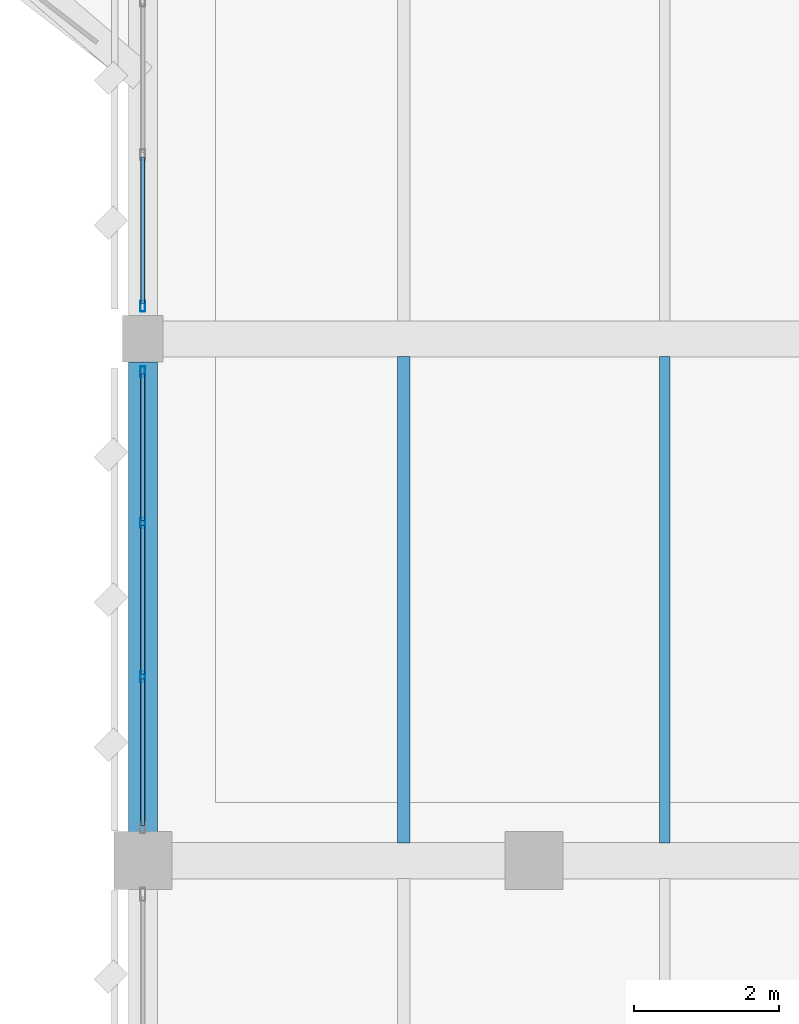
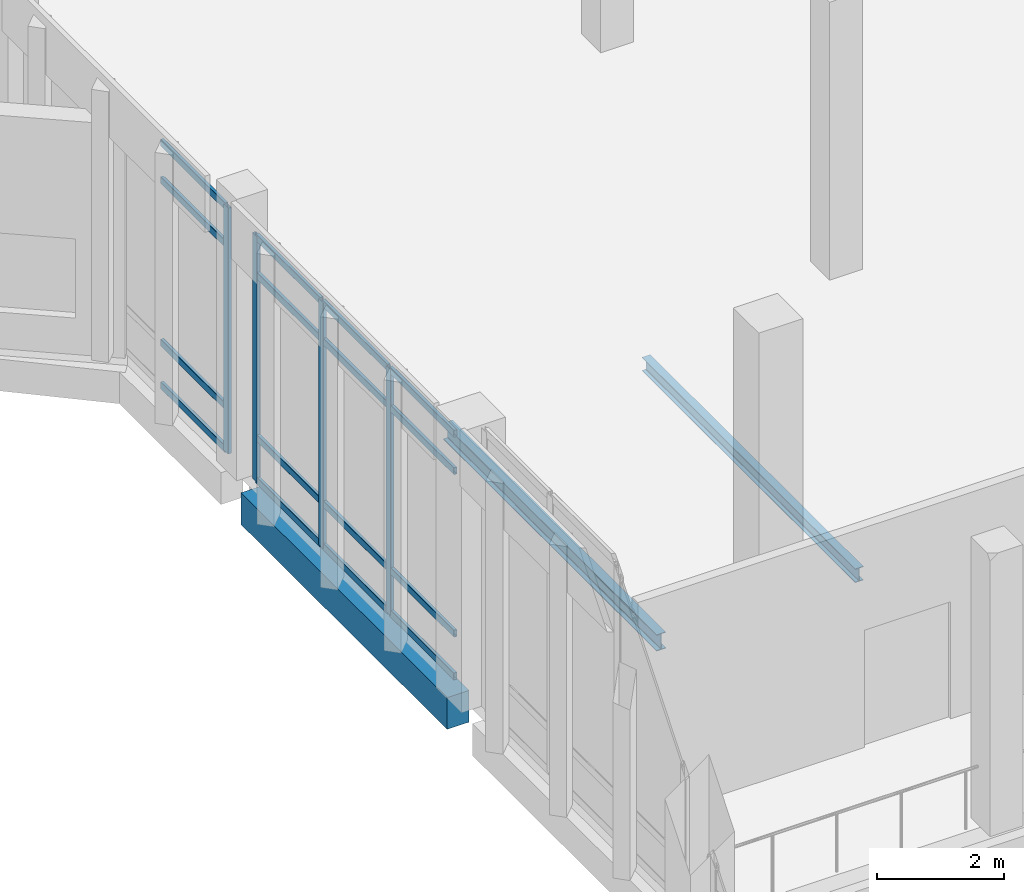
# One storey, part 21 of 180: 20 members, 3 beams, 2 elements without a shape of their own.
"""IFC4 building model written with IfcOpenShell, lengths in metres."""

from ifc_helpers import new_model, si_unit, direction, frame, origin, origin_2d, place, context, subcontext, project, spatial, rectangle, hollow_rectangle, i_section, extrude, material, material_profile, profile_set, type_object, element, aggregate, save


model = new_model("IFC4")

# Units and contexts
model_context = context("Model", 3, precision=1e-05, world=origin(), true_north=direction((0.0, 1.0)))
body_context = subcontext(model_context, "Body", "Model", "MODEL_VIEW")
ifc_project = project(units=[si_unit("LENGTHUNIT", "METRE"), si_unit("AREAUNIT", "SQUARE_METRE"), si_unit("VOLUMEUNIT", "CUBIC_METRE"), si_unit("PLANEANGLEUNIT", "RADIAN"), si_unit("MASSUNIT", "GRAM", prefix="KILO")], contexts=[model_context])

# Site, building, storey
site_placement = place(None, origin())
site = spatial("IfcSite", under=ifc_project, at=site_placement, CompositionType="ELEMENT")
building_placement = place(site_placement, origin())
building = spatial("IfcBuilding", under=site, at=building_placement, Name="Lusvemor Sports Hall", CompositionType="ELEMENT")
storey_placement = place(building_placement, frame((0.0, 0.0, 5.39990234375)))
storey = spatial("IfcBuildingStorey", under=building, at=storey_placement, Name="L01", CompositionType="ELEMENT", Elevation=5.39990234375)

# Curtain wall, members
ifc_material_1 = material(Name="Thermally broken bronze-anodized aluminium", Category="aluminium")
curtain_wall_type = type_object("IfcCurtainWallType", Name="CW_WING_B", PredefinedType="NOTDEFINED", material=ifc_material_1)
curtain_wall_1_placement = place(storey_placement, origin())
curtain_wall_1 = element("IfcCurtainWall", 1, at=curtain_wall_1_placement, inside=storey, type_object=curtain_wall_type, Name="Curtain Wall CW-L01-W-0-0", PredefinedType="NOTDEFINED")
ifc_material_2 = material(Name="Thermally broken bronze-anodized aluminium", Category="aluminium")
ifc_material_profile_1 = material_profile(ifc_material_2, hollow_rectangle(XDim=0.06494140625, YDim=0.14990234375, WallThickness=0.00390625, InnerFilletRadius=0.00390625, OuterFilletRadius=0.008056640625, at=origin_2d()), Name="CWMUL150x65x4")
ifc_profile_set_1 = profile_set([ifc_material_profile_1], Name="Thermally broken bronze-anodized aluminium")
member_type_1 = type_object("IfcMemberType", Name="CW_MUL_B", PredefinedType="MULLION", material=ifc_profile_set_1)
member_1_placement = place(storey_placement, frame((0.0, 49.340087890625, 0.0), z_axis=(0.0, 0.0, 1.0), x_axis=(-1.0, 0.0, 0.0)))
member_1 = element("IfcMember", 2, at=member_1_placement, type_object=member_type_1, Name="CW02 mullion 2", PredefinedType="MULLION", context=body_context, shape_type="SweptSolid", body=[
    extrude(hollow_rectangle(XDim=0.06494140625, YDim=0.14990234375, WallThickness=0.00390625, InnerFilletRadius=0.00390625, OuterFilletRadius=0.008056640625, at=origin_2d()), origin(), (0.0, 0.0, 1.0), 4.72021484375),
])
member_2_placement = place(storey_placement, frame((0.0, 51.4599609375, 0.0), z_axis=(0.0, 0.0, 1.0), x_axis=(-1.0, 0.0, 0.0)))
member_2 = element("IfcMember", 3, at=member_2_placement, type_object=member_type_1, Name="CW02 mullion 3", PredefinedType="MULLION", context=body_context, shape_type="SweptSolid", body=[
    extrude(hollow_rectangle(XDim=0.06494140625, YDim=0.14990234375, WallThickness=0.00390625, InnerFilletRadius=0.00390625, OuterFilletRadius=0.008056640625, at=origin_2d()), origin(), (0.0, 0.0, 1.0), 4.72021484375),
])
member_3_placement = place(storey_placement, frame((0.0, 53.547607421875, 0.0), z_axis=(0.0, 0.0, 1.0), x_axis=(-1.0, 0.0, 0.0)))
member_3 = element("IfcMember", 4, at=member_3_placement, type_object=member_type_1, Name="CW02 mullion 4", PredefinedType="MULLION", context=body_context, shape_type="SweptSolid", body=[
    extrude(hollow_rectangle(XDim=0.06494140625, YDim=0.14990234375, WallThickness=0.00390625, InnerFilletRadius=0.00390625, OuterFilletRadius=0.008056640625, at=origin_2d()), origin(), (0.0, 0.0, 1.0), 4.72021484375),
])

# Curtain wall, member
curtain_wall_2_placement = place(storey_placement, origin())
curtain_wall_2 = element("IfcCurtainWall", 5, at=curtain_wall_2_placement, inside=storey, type_object=curtain_wall_type, Name="Curtain Wall CW-L01-W-0-1", PredefinedType="NOTDEFINED")
member_4_placement = place(storey_placement, frame((0.0, 54.452392578125, 0.0), z_axis=(0.0, 0.0, 1.0), x_axis=(-1.0, 0.0, 0.0)))
member_4 = element("IfcMember", 6, at=member_4_placement, type_object=member_type_1, Name="CW02 mullion 1", PredefinedType="MULLION", context=body_context, shape_type="SweptSolid", body=[
    extrude(hollow_rectangle(XDim=0.06494140625, YDim=0.14990234375, WallThickness=0.00390625, InnerFilletRadius=0.00390625, OuterFilletRadius=0.008056640625, at=origin_2d()), origin(), (0.0, 0.0, 1.0), 4.72021484375),
])

# Member
ifc_material_3 = material(Name="Thermally broken bronze-anodized aluminium", Category="aluminium")
ifc_material_profile_2 = material_profile(ifc_material_3, hollow_rectangle(XDim=0.06005859375, YDim=0.135009765625, WallThickness=0.00390625, InnerFilletRadius=0.00390625, OuterFilletRadius=0.008056640625, at=origin_2d()), Name="CWTRN135x60x4")
ifc_profile_set_2 = profile_set([ifc_material_profile_2], Name="Thermally broken bronze-anodized aluminium")
member_type_2 = type_object("IfcMemberType", Name="CW_TRN_B", PredefinedType="USERDEFINED", material=ifc_profile_set_2)
member_5_placement = place(storey_placement, frame((0.0, 47.284912109375, 0.030029296875), z_axis=(0.0, 1.0, 0.0), x_axis=(-1.0, 0.0, 0.0)))
member_5 = element("IfcMember", 7, at=member_5_placement, type_object=member_type_2, Name="CW02 transom 1.1", ObjectType="TRANSOM", PredefinedType="USERDEFINED", context=body_context, shape_type="SweptSolid", body=[
    extrude(hollow_rectangle(XDim=0.06005859375, YDim=0.135009765625, WallThickness=0.00390625, InnerFilletRadius=0.00390625, OuterFilletRadius=0.008056640625, at=origin_2d()), origin(), (0.0, 0.0, 1.0), 2.022705078125),
])

member_6_placement = place(storey_placement, frame((0.0, 47.284912109375, 0.85009765625), z_axis=(0.0, 1.0, 0.0), x_axis=(-1.0, 0.0, 0.0)))
member_6 = element("IfcMember", 8, at=member_6_placement, type_object=member_type_2, Name="CW02 transom 1.2", ObjectType="TRANSOM", PredefinedType="USERDEFINED", context=body_context, shape_type="SweptSolid", body=[
    extrude(hollow_rectangle(XDim=0.06005859375, YDim=0.135009765625, WallThickness=0.00390625, InnerFilletRadius=0.00390625, OuterFilletRadius=0.008056640625, at=origin_2d()), origin(), (0.0, 0.0, 1.0), 2.022705078125),
])

member_7_placement = place(storey_placement, frame((0.0, 47.284912109375, 3.97021484375), z_axis=(0.0, 1.0, 0.0), x_axis=(-1.0, 0.0, 0.0)))
member_7 = element("IfcMember", 9, at=member_7_placement, type_object=member_type_2, Name="CW02 transom 1.3", ObjectType="TRANSOM", PredefinedType="USERDEFINED", context=body_context, shape_type="SweptSolid", body=[
    extrude(hollow_rectangle(XDim=0.06005859375, YDim=0.135009765625, WallThickness=0.00390625, InnerFilletRadius=0.00390625, OuterFilletRadius=0.008056640625, at=origin_2d()), origin(), (0.0, 0.0, 1.0), 2.022705078125),
])

member_8_placement = place(storey_placement, frame((0.0, 47.284912109375, 4.690185546875), z_axis=(0.0, 1.0, 0.0), x_axis=(-1.0, 0.0, 0.0)))
member_8 = element("IfcMember", 10, at=member_8_placement, type_object=member_type_2, Name="CW02 transom 1.4", ObjectType="TRANSOM", PredefinedType="USERDEFINED", context=body_context, shape_type="SweptSolid", body=[
    extrude(hollow_rectangle(XDim=0.06005859375, YDim=0.135009765625, WallThickness=0.00390625, InnerFilletRadius=0.00390625, OuterFilletRadius=0.008056640625, at=origin_2d()), origin(), (0.0, 0.0, 1.0), 2.022705078125),
])

member_9_placement = place(storey_placement, frame((0.0, 49.37255859375, 0.030029296875), z_axis=(0.0, 1.0, 0.0), x_axis=(-1.0, 0.0, 0.0)))
member_9 = element("IfcMember", 11, at=member_9_placement, type_object=member_type_2, Name="CW02 transom 2.1", ObjectType="TRANSOM", PredefinedType="USERDEFINED", context=body_context, shape_type="SweptSolid", body=[
    extrude(hollow_rectangle(XDim=0.06005859375, YDim=0.135009765625, WallThickness=0.00390625, InnerFilletRadius=0.00390625, OuterFilletRadius=0.008056640625, at=origin_2d()), origin(), (0.0, 0.0, 1.0), 2.054931640625),
])

member_10_placement = place(storey_placement, frame((0.0, 49.37255859375, 0.85009765625), z_axis=(0.0, 1.0, 0.0), x_axis=(-1.0, 0.0, 0.0)))
member_10 = element("IfcMember", 12, at=member_10_placement, type_object=member_type_2, Name="CW02 transom 2.2", ObjectType="TRANSOM", PredefinedType="USERDEFINED", context=body_context, shape_type="SweptSolid", body=[
    extrude(hollow_rectangle(XDim=0.06005859375, YDim=0.135009765625, WallThickness=0.00390625, InnerFilletRadius=0.00390625, OuterFilletRadius=0.008056640625, at=origin_2d()), origin(), (0.0, 0.0, 1.0), 2.054931640625),
])

member_11_placement = place(storey_placement, frame((0.0, 49.37255859375, 3.97021484375), z_axis=(0.0, 1.0, 0.0), x_axis=(-1.0, 0.0, 0.0)))
member_11 = element("IfcMember", 13, at=member_11_placement, type_object=member_type_2, Name="CW02 transom 2.3", ObjectType="TRANSOM", PredefinedType="USERDEFINED", context=body_context, shape_type="SweptSolid", body=[
    extrude(hollow_rectangle(XDim=0.06005859375, YDim=0.135009765625, WallThickness=0.00390625, InnerFilletRadius=0.00390625, OuterFilletRadius=0.008056640625, at=origin_2d()), origin(), (0.0, 0.0, 1.0), 2.054931640625),
])

member_12_placement = place(storey_placement, frame((0.0, 49.37255859375, 4.690185546875), z_axis=(0.0, 1.0, 0.0), x_axis=(-1.0, 0.0, 0.0)))
member_12 = element("IfcMember", 14, at=member_12_placement, type_object=member_type_2, Name="CW02 transom 2.4", ObjectType="TRANSOM", PredefinedType="USERDEFINED", context=body_context, shape_type="SweptSolid", body=[
    extrude(hollow_rectangle(XDim=0.06005859375, YDim=0.135009765625, WallThickness=0.00390625, InnerFilletRadius=0.00390625, OuterFilletRadius=0.008056640625, at=origin_2d()), origin(), (0.0, 0.0, 1.0), 2.054931640625),
])

member_13_placement = place(storey_placement, frame((0.0, 51.492431640625, 0.030029296875), z_axis=(0.0, 1.0, 0.0), x_axis=(-1.0, 0.0, 0.0)))
member_13 = element("IfcMember", 15, at=member_13_placement, type_object=member_type_2, Name="CW02 transom 3.1", ObjectType="TRANSOM", PredefinedType="USERDEFINED", context=body_context, shape_type="SweptSolid", body=[
    extrude(hollow_rectangle(XDim=0.06005859375, YDim=0.135009765625, WallThickness=0.00390625, InnerFilletRadius=0.00390625, OuterFilletRadius=0.008056640625, at=origin_2d()), origin(), (0.0, 0.0, 1.0), 2.0224609375),
])

member_14_placement = place(storey_placement, frame((0.0, 51.492431640625, 0.85009765625), z_axis=(0.0, 1.0, 0.0), x_axis=(-1.0, 0.0, 0.0)))
member_14 = element("IfcMember", 16, at=member_14_placement, type_object=member_type_2, Name="CW02 transom 3.2", ObjectType="TRANSOM", PredefinedType="USERDEFINED", context=body_context, shape_type="SweptSolid", body=[
    extrude(hollow_rectangle(XDim=0.06005859375, YDim=0.135009765625, WallThickness=0.00390625, InnerFilletRadius=0.00390625, OuterFilletRadius=0.008056640625, at=origin_2d()), origin(), (0.0, 0.0, 1.0), 2.0224609375),
])

member_15_placement = place(storey_placement, frame((0.0, 51.492431640625, 3.97021484375), z_axis=(0.0, 1.0, 0.0), x_axis=(-1.0, 0.0, 0.0)))
member_15 = element("IfcMember", 17, at=member_15_placement, type_object=member_type_2, Name="CW02 transom 3.3", ObjectType="TRANSOM", PredefinedType="USERDEFINED", context=body_context, shape_type="SweptSolid", body=[
    extrude(hollow_rectangle(XDim=0.06005859375, YDim=0.135009765625, WallThickness=0.00390625, InnerFilletRadius=0.00390625, OuterFilletRadius=0.008056640625, at=origin_2d()), origin(), (0.0, 0.0, 1.0), 2.0224609375),
])

member_16_placement = place(storey_placement, frame((0.0, 51.492431640625, 4.690185546875), z_axis=(0.0, 1.0, 0.0), x_axis=(-1.0, 0.0, 0.0)))
member_16 = element("IfcMember", 18, at=member_16_placement, type_object=member_type_2, Name="CW02 transom 3.4", ObjectType="TRANSOM", PredefinedType="USERDEFINED", context=body_context, shape_type="SweptSolid", body=[
    extrude(hollow_rectangle(XDim=0.06005859375, YDim=0.135009765625, WallThickness=0.00390625, InnerFilletRadius=0.00390625, OuterFilletRadius=0.008056640625, at=origin_2d()), origin(), (0.0, 0.0, 1.0), 2.0224609375),
])

aggregate(curtain_wall_1, [member_1, member_2, member_3, member_5, member_6, member_7, member_8, member_9, member_10, member_11, member_12, member_13, member_14, member_15, member_16])

member_17_placement = place(storey_placement, frame((0.0, 54.485107421875, 0.030029296875), z_axis=(0.0, 1.0, 0.0), x_axis=(-1.0, 0.0, 0.0)))
member_17 = element("IfcMember", 19, at=member_17_placement, type_object=member_type_2, Name="CW02 transom 1.1", ObjectType="TRANSOM", PredefinedType="USERDEFINED", context=body_context, shape_type="SweptSolid", body=[
    extrude(hollow_rectangle(XDim=0.06005859375, YDim=0.135009765625, WallThickness=0.00390625, InnerFilletRadius=0.00390625, OuterFilletRadius=0.008056640625, at=origin_2d()), origin(), (0.0, 0.0, 1.0), 2.0224609375),
])

member_18_placement = place(storey_placement, frame((0.0, 54.485107421875, 0.85009765625), z_axis=(0.0, 1.0, 0.0), x_axis=(-1.0, 0.0, 0.0)))
member_18 = element("IfcMember", 20, at=member_18_placement, type_object=member_type_2, Name="CW02 transom 1.2", ObjectType="TRANSOM", PredefinedType="USERDEFINED", context=body_context, shape_type="SweptSolid", body=[
    extrude(hollow_rectangle(XDim=0.06005859375, YDim=0.135009765625, WallThickness=0.00390625, InnerFilletRadius=0.00390625, OuterFilletRadius=0.008056640625, at=origin_2d()), origin(), (0.0, 0.0, 1.0), 2.0224609375),
])

member_19_placement = place(storey_placement, frame((0.0, 54.485107421875, 3.97021484375), z_axis=(0.0, 1.0, 0.0), x_axis=(-1.0, 0.0, 0.0)))
member_19 = element("IfcMember", 21, at=member_19_placement, type_object=member_type_2, Name="CW02 transom 1.3", ObjectType="TRANSOM", PredefinedType="USERDEFINED", context=body_context, shape_type="SweptSolid", body=[
    extrude(hollow_rectangle(XDim=0.06005859375, YDim=0.135009765625, WallThickness=0.00390625, InnerFilletRadius=0.00390625, OuterFilletRadius=0.008056640625, at=origin_2d()), origin(), (0.0, 0.0, 1.0), 2.0224609375),
])

member_20_placement = place(storey_placement, frame((0.0, 54.485107421875, 4.690185546875), z_axis=(0.0, 1.0, 0.0), x_axis=(-1.0, 0.0, 0.0)))
member_20 = element("IfcMember", 22, at=member_20_placement, type_object=member_type_2, Name="CW02 transom 1.4", ObjectType="TRANSOM", PredefinedType="USERDEFINED", context=body_context, shape_type="SweptSolid", body=[
    extrude(hollow_rectangle(XDim=0.06005859375, YDim=0.135009765625, WallThickness=0.00390625, InnerFilletRadius=0.00390625, OuterFilletRadius=0.008056640625, at=origin_2d()), origin(), (0.0, 0.0, 1.0), 2.0224609375),
])

aggregate(curtain_wall_2, [member_4, member_17, member_18, member_19, member_20])

# Beams
ifc_material_4 = material(Name="Steel S355", Category="steel")
ifc_material_profile_3 = material_profile(ifc_material_4, i_section(OverallWidth=0.14794921875, OverallDepth=0.26611328125, WebThickness=0.007568359375, FlangeThickness=0.012939453125, FilletRadius=0.012939453125, at=origin_2d()), Name="W250x44.8")
ifc_profile_set_3 = profile_set([ifc_material_profile_3], Name="Steel S355")
beam_type_1 = type_object("IfcBeamType", Name="JOIST_ST_250M", PredefinedType="JOIST", material=ifc_profile_set_3)
beam_1_placement = place(storey_placement, frame((7.199951171875, 47.0458984375, -0.39697265625), z_axis=(0.0, 1.0, 0.0), x_axis=(-1.0, 0.0, 0.0)))
element("IfcBeam", 23, at=beam_1_placement, inside=storey, type_object=beam_type_1, Name="Secondary Joist L01 1-2/F-G #2", PredefinedType="JOIST", context=body_context, shape_type="SweptSolid", body=[
    extrude(i_section(OverallWidth=0.14794921875, OverallDepth=0.26611328125, WebThickness=0.007568359375, FlangeThickness=0.012939453125, FilletRadius=0.012939453125, at=origin_2d()), origin(), (0.0, 0.0, 1.0), 6.7080078125),
])
ifc_material_5 = material(Name="Steel S355", Category="steel")
ifc_material_profile_4 = material_profile(ifc_material_5, i_section(OverallWidth=0.1669921875, OverallDepth=0.31689453125, WebThickness=0.007568359375, FlangeThickness=0.01318359375, FilletRadius=0.014892578125, at=origin_2d()), Name="W310x52.0")
ifc_profile_set_4 = profile_set([ifc_material_profile_4], Name="Steel S355")
beam_type_2 = type_object("IfcBeamType", Name="JOIST_ST_310M", PredefinedType="JOIST", material=ifc_profile_set_4)
beam_2_placement = place(storey_placement, frame((3.60009765625, 47.0458984375, -0.42236328125), z_axis=(0.0, 1.0, 0.0), x_axis=(-1.0, 0.0, 0.0)))
element("IfcBeam", 24, at=beam_2_placement, inside=storey, type_object=beam_type_2, Name="Secondary Joist L01 1-2/F-G #1", PredefinedType="JOIST", context=body_context, shape_type="SweptSolid", body=[
    extrude(i_section(OverallWidth=0.1669921875, OverallDepth=0.31689453125, WebThickness=0.007568359375, FlangeThickness=0.01318359375, FilletRadius=0.014892578125, at=origin_2d()), origin(), (0.0, 0.0, 1.0), 6.7080078125),
])
ifc_material_6 = material(Name="Concrete C40/50", Category="concrete")
ifc_material_profile_5 = material_profile(ifc_material_6, rectangle(XDim=0.39990234375, YDim=0.610107421875, at=origin_2d()), Name="RC400x610")
ifc_profile_set_5 = profile_set([ifc_material_profile_5], Name="Concrete C40/50")
beam_type_3 = type_object("IfcBeamType", Name="SPAND_EXT_650", PredefinedType="SPANDREL", material=ifc_profile_set_5)
beam_3_placement = place(storey_placement, frame((0.0, 47.196044921875, -0.56494140625), z_axis=(0.0, 1.0, 0.0), x_axis=(-1.0, 0.0, 0.0)))
element("IfcBeam", 25, at=beam_3_placement, inside=storey, type_object=beam_type_3, Name="Beam L01 1:F-G", PredefinedType="SPANDREL", context=body_context, shape_type="SweptSolid", body=[
    extrude(rectangle(XDim=0.39990234375, YDim=0.610107421875, at=origin_2d()), origin(), (0.0, 0.0, 1.0), 6.488037109375),
])

save(model, "model.ifc")
